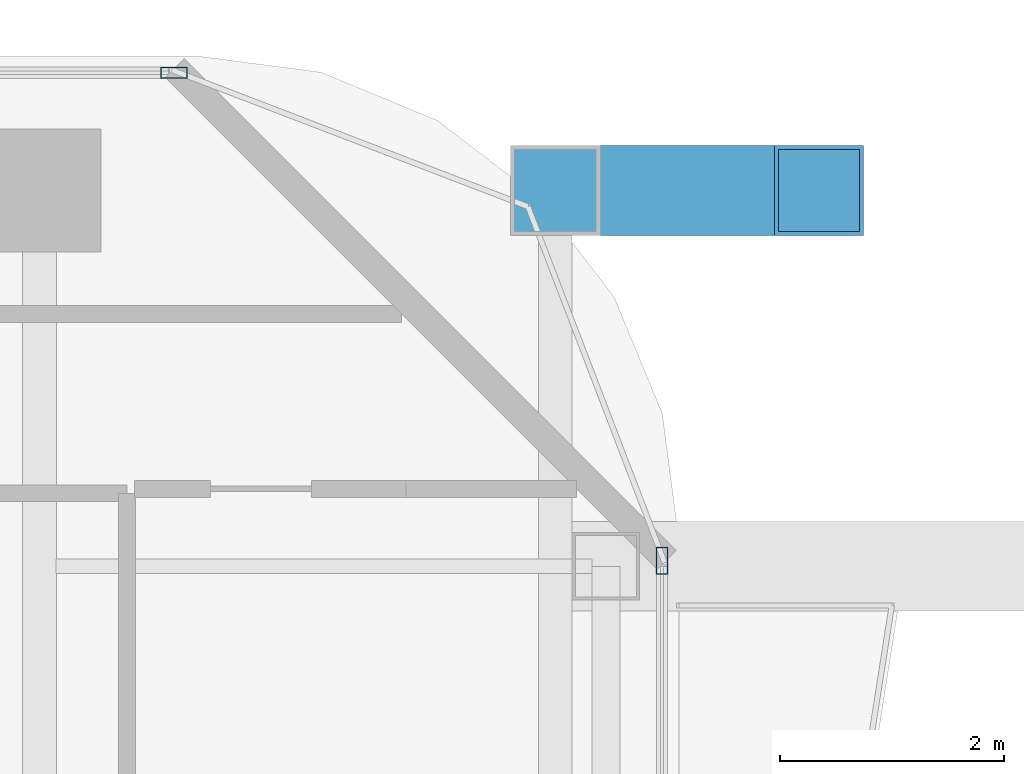
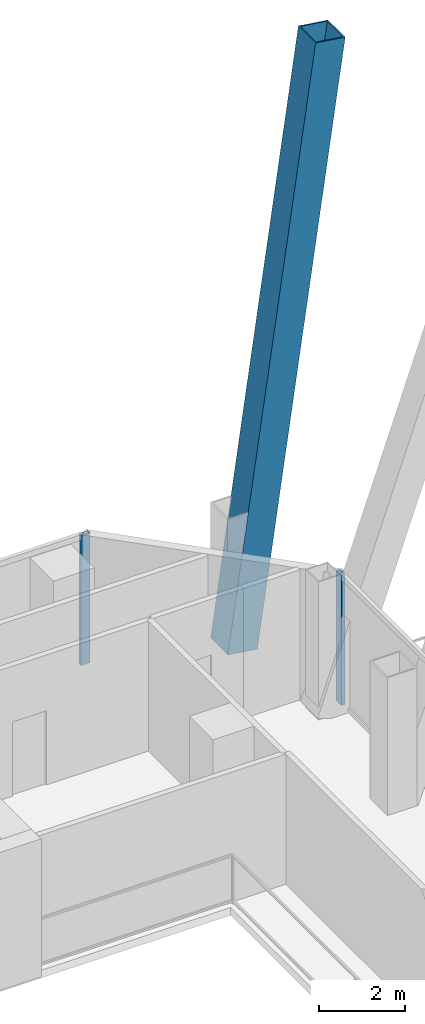
# One storey, part 18 of 27: 3 members, 2 elements without a shape of their own.
"""IFC4 building model written with IfcOpenShell, lengths in metres."""

from ifc_helpers import new_model, si_unit, direction, frame, origin, origin_2d, place, context, subcontext, project, spatial, hollow_rectangle, extrude, material, layer, layer_set, material_profile, profile_set, type_object, element, aggregate, save


model = new_model("IFC4")

# Units and contexts
model_context = context("Model", 3, precision=1e-05, world=origin(), true_north=direction((0.0, 1.0)))
body_context = subcontext(model_context, "Body", "Model", "MODEL_VIEW")
ifc_project = project(units=[si_unit("LENGTHUNIT", "METRE"), si_unit("AREAUNIT", "SQUARE_METRE"), si_unit("VOLUMEUNIT", "CUBIC_METRE"), si_unit("PLANEANGLEUNIT", "RADIAN"), si_unit("MASSUNIT", "GRAM", prefix="KILO")], contexts=[model_context])

# Site, building, storey
site_placement = place(None, origin())
site = spatial("IfcSite", under=ifc_project, at=site_placement, CompositionType="ELEMENT")
building_placement = place(site_placement, origin())
building = spatial("IfcBuilding", under=site, at=building_placement, Name="Khorvyn Point Tower", CompositionType="ELEMENT")
storey_placement = place(building_placement, frame((0.0, 0.0, 203.10009765625)))
storey = spatial("IfcBuildingStorey", under=building, at=storey_placement, Name="L50", CompositionType="ELEMENT", Elevation=203.10009765625)

# Curtain wall, member
ifc_material_1 = material(Name="Anodised aluminium 6063-T6 and laminated Low-E glass", Category="aluminium")
ifc_layer = layer(ifc_material_1, 0.18994140625)
ifc_layer_set = layer_set([ifc_layer], Name="Stick-Built Acoustic Curtain Wall CW-SYS-03")
curtain_wall_type = type_object("IfcCurtainWallType", Name="Stick-Built Acoustic Curtain Wall CW-SYS-03", PredefinedType="NOTDEFINED", material=ifc_layer_set)
curtain_wall_1_placement = place(storey_placement, origin())
curtain_wall_1 = element("IfcCurtainWall", 1, at=curtain_wall_1_placement, inside=storey, type_object=curtain_wall_type, Name="Curtain Wall", PredefinedType="NOTDEFINED")
ifc_material_2 = material(Name="Anodised aluminium 6063-T6", Category="aluminium")
ifc_material_profile_1 = material_profile(ifc_material_2, hollow_rectangle(XDim=0.10009765625, YDim=0.239990234375, WallThickness=0.0048828125, at=origin_2d()))
ifc_profile_set_1 = profile_set([ifc_material_profile_1], Name="Anodised aluminium 6063-T6 ALU-MUL-100x240")
member_type_1 = type_object("IfcMemberType", Name="Anodised Aluminium 6063-T6 Mullion ALU-MUL-100x240", PredefinedType="MULLION", material=ifc_profile_set_1)
member_1_placement = place(storey_placement, frame((16.0, 15.85009765625, 0.0), z_axis=(0.0, 0.0, 1.0), x_axis=(0.0, 1.0, 0.0)))
member_1 = element("IfcMember", 2, at=member_1_placement, type_object=member_type_1, Name="Transom", PredefinedType="MULLION", context=body_context, shape_type="SweptSolid", body=[
    extrude(hollow_rectangle(XDim=0.10009765625, YDim=0.239990234375, WallThickness=0.0048828125, at=origin_2d()), origin(), (0.0, 0.0, 1.0), 3.679931640625),
])
aggregate(curtain_wall_1, [member_1])

curtain_wall_2_placement = place(storey_placement, origin())
curtain_wall_2 = element("IfcCurtainWall", 3, at=curtain_wall_2_placement, inside=storey, type_object=curtain_wall_type, Name="Curtain Wall", PredefinedType="NOTDEFINED")
member_2_placement = place(storey_placement, frame((20.35009765625, 11.5, 0.0), z_axis=(0.0, 0.0, 1.0), x_axis=(1.0, 0.0, 0.0)))
member_2 = element("IfcMember", 4, at=member_2_placement, type_object=member_type_1, Name="Transom", PredefinedType="MULLION", context=body_context, shape_type="SweptSolid", body=[
    extrude(hollow_rectangle(XDim=0.10009765625, YDim=0.239990234375, WallThickness=0.0048828125, at=origin_2d()), origin(), (0.0, 0.0, 1.0), 3.679931640625),
])
aggregate(curtain_wall_2, [member_2])

# Member
ifc_material_3 = material(Name="Steel S450", Category="steel")
ifc_material_profile_2 = material_profile(ifc_material_3, hollow_rectangle(XDim=0.800048828125, YDim=0.800048828125, WallThickness=0.035888671875, at=origin_2d()))
ifc_profile_set_2 = profile_set([ifc_material_profile_2], Name="Steel S450 BOX800x800x36")
member_type_2 = type_object("IfcMemberType", Name="Steel S450 Exoskeleton Structural Post BOX800x800x36", PredefinedType="POST", material=ifc_profile_set_2)
member_3_placement = place(storey_placement, frame((19.39990234375, 14.800048828125, 0.0), z_axis=(0.141007082449, 0.0, 0.990008587185), x_axis=(0.0, 1.0, 0.0)))
element("IfcMember", 5, at=member_3_placement, inside=storey, type_object=member_type_2, Name="L50 to L54 Exoskeleton Transfer Post 03", PredefinedType="POST", context=body_context, shape_type="SweptSolid", body=[
    extrude(hollow_rectangle(XDim=0.800048828125, YDim=0.800048828125, WallThickness=0.035888671875, at=origin_2d()), origin(), (0.0, 0.0, 1.0), 16.66650390625),
])

save(model, "model.ifc")
